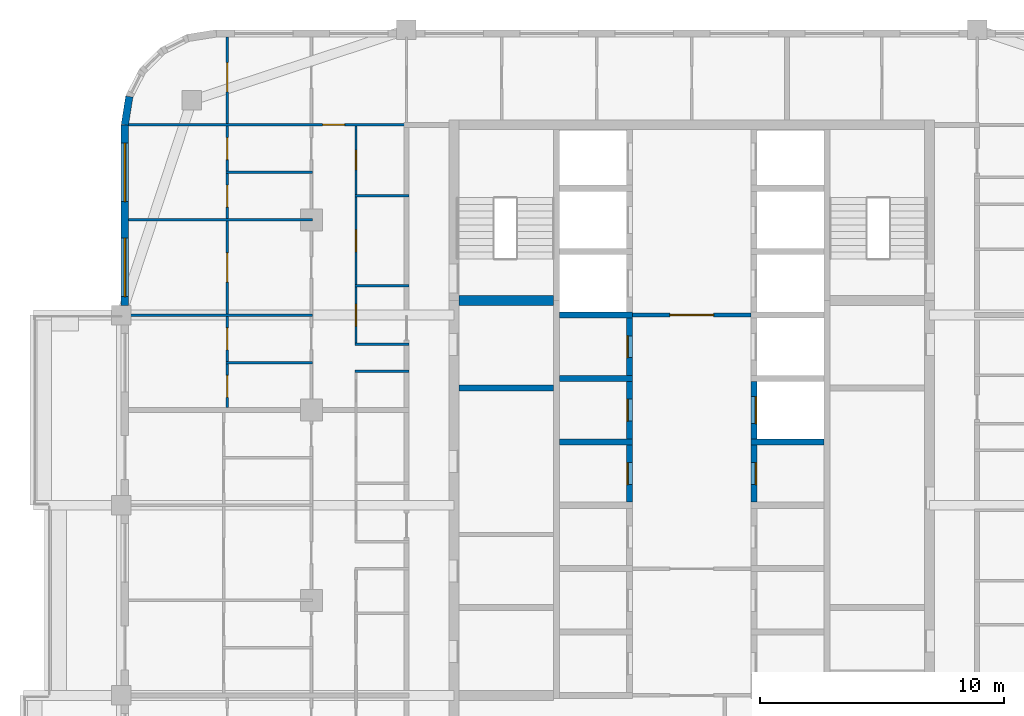
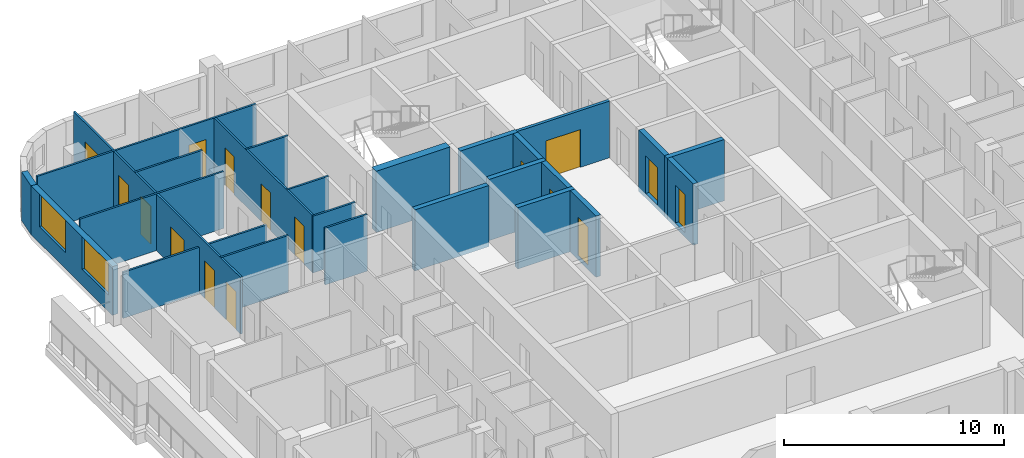
# One storey, part 9 of 16: 25 walls, 16 doors, 2 windows, 18 openings.
"""IFC4 building model written with IfcOpenShell, lengths in metres."""

from ifc_helpers import new_model, si_unit, direction, frame, frame_2d, origin, place, context, subcontext, project, spatial, rectangle, extrude, material, layer, layer_set, type_object, element, fill, save


model = new_model("IFC4")

# Units and contexts
model_context = context("Model", 3, precision=1e-05, world=origin(), true_north=direction((0.0, 1.0)))
body_context = subcontext(model_context, "Body", "Model", "MODEL_VIEW")
ifc_project = project(units=[si_unit("LENGTHUNIT", "METRE"), si_unit("AREAUNIT", "SQUARE_METRE"), si_unit("VOLUMEUNIT", "CUBIC_METRE"), si_unit("PLANEANGLEUNIT", "RADIAN"), si_unit("MASSUNIT", "GRAM", prefix="KILO")], contexts=[model_context])

# Site, building, storey
site_placement = place(None, origin())
site = spatial("IfcSite", under=ifc_project, at=site_placement, CompositionType="ELEMENT")
building_placement = place(site_placement, origin())
building = spatial("IfcBuilding", under=site, at=building_placement, Name="Ludao Terraces", CompositionType="ELEMENT")
storey_placement = place(building_placement, frame((0.0, 0.0, 227.89990234375)))
storey = spatial("IfcBuildingStorey", under=building, at=storey_placement, Name="L62", CompositionType="ELEMENT", Elevation=227.89990234375)

# Wall, openings, windows
ifc_material_1 = material(Name="Granite cladding", Category="masonry")
ifc_layer_1 = layer(ifc_material_1, 0.0400390625, Category="stone")
ifc_material_2 = material(Name="Mineral wool")
ifc_layer_2 = layer(ifc_material_2, 0.06005859375)
ifc_material_3 = material(Name="Concrete C40", Category="concrete")
ifc_layer_3 = layer(ifc_material_3, 0.199951171875, Category="concrete")
ifc_layer_set_1 = layer_set([ifc_layer_1, ifc_layer_2, ifc_layer_3], Name="ENV Stone-clad wall 300")
wall_type_1 = type_object("IfcWallType", Name="ENV Stone-clad wall 300", PredefinedType="SOLIDWALL", material=ifc_layer_set_1)
wall_1_placement = place(storey_placement, frame((61.75, 77.10009765625, 0.0), z_axis=(0.0, 0.0, 1.0), x_axis=(0.0, 1.0, 0.0)))
wall_1 = element("IfcWall", 1, at=wall_1_placement, inside=storey, type_object=wall_type_1, Name="EW-L62-W5", PredefinedType="SOLIDWALL", context=body_context, shape_type="SweptSolid", body=[
    extrude(rectangle(XDim=7.39990234375, YDim=0.300048828125, at=frame_2d((3.699951171875, 0.0))), origin(), (0.0, 0.0, 1.0), 2.7001953125),
])
opening_1_placement = place(wall_1_placement, frame((0.35009765625, 0.0, 0.89990234375)))
opening_1 = element("IfcOpeningElement", 2, at=opening_1_placement, cuts=wall_1, Name="Opening W1", PredefinedType="OPENING", context=body_context, shape_type="SweptSolid", body=[
    extrude(rectangle(XDim=2.39990234375, YDim=1.800048828125, at=frame_2d((1.199951171875, 0.89990234375))), frame((0.0, 0.16015625, 0.0), z_axis=(0.0, -1.0, 0.0), x_axis=(1.0, 0.0, 0.0)), (0.0, 0.0, 1.0), 0.320068359375),
])
opening_2_placement = place(wall_1_placement, frame((4.25, 0.0, 0.89990234375)))
opening_2 = element("IfcOpeningElement", 3, at=opening_2_placement, cuts=wall_1, Name="Opening W1", PredefinedType="OPENING", context=body_context, shape_type="SweptSolid", body=[
    extrude(rectangle(XDim=2.39990234375, YDim=1.800048828125, at=frame_2d((1.199951171875, 0.89990234375))), frame((0.0, 0.16015625, 0.0), z_axis=(0.0, -1.0, 0.0), x_axis=(1.0, 0.0, 0.0)), (0.0, 0.0, 1.0), 0.320068359375),
])
ifc_material_4 = material(Name="Clear glass in aluminium frame", Category="aluminium")
ifc_layer_4 = layer(ifc_material_4, 0.06005859375)
ifc_layer_set_2 = layer_set([ifc_layer_4], Name="ENV Window W1 2400x1800")
window_type = type_object("IfcWindowType", Name="ENV Window W1 2400x1800", PartitioningType="DOUBLE_PANEL_VERTICAL", PredefinedType="WINDOW", material=ifc_layer_set_2)
window_1_placement = place(opening_1_placement, origin())
window_1 = element("IfcWindow", 4, at=window_1_placement, inside=storey, type_object=window_type, Name="W-L62-W5-1", OverallHeight=1.800048828125, OverallWidth=2.39990234375, PartitioningType="DOUBLE_PANEL_VERTICAL", PredefinedType="WINDOW", context=body_context, shape_type="SweptSolid", body=[
    extrude(rectangle(XDim=2.39990234375, YDim=1.800048828125, at=frame_2d((1.199951171875, 0.89990234375))), frame((0.0, 0.030029296875, 0.0), z_axis=(0.0, -1.0, 0.0), x_axis=(1.0, 0.0, 0.0)), (0.0, 0.0, 1.0), 0.06005859375),
])
fill(opening_1, window_1)
window_2_placement = place(opening_2_placement, origin())
window_2 = element("IfcWindow", 5, at=window_2_placement, inside=storey, type_object=window_type, Name="W-L62-W5-2", OverallHeight=1.800048828125, OverallWidth=2.39990234375, PartitioningType="DOUBLE_PANEL_VERTICAL", PredefinedType="WINDOW", context=body_context, shape_type="SweptSolid", body=[
    extrude(rectangle(XDim=2.39990234375, YDim=1.800048828125, at=frame_2d((1.199951171875, 0.89990234375))), frame((0.0, 0.030029296875, 0.0), z_axis=(0.0, -1.0, 0.0), x_axis=(1.0, 0.0, 0.0)), (0.0, 0.0, 1.0), 0.06005859375),
])
fill(opening_2, window_2)

# Wall
wall_2_placement = place(storey_placement, frame((61.93359375, 85.65869140625, 0.0), z_axis=(0.0, 0.0, 1.0), x_axis=(-0.156496880861, -0.987678452879, 0.0)))
element("IfcWall", 6, at=wall_2_placement, inside=storey, type_object=wall_type_1, Name="EW-L62-NW5", PredefinedType="SOLIDWALL", context=body_context, shape_type="SweptSolid", body=[
    extrude(rectangle(XDim=1.173095703125, YDim=0.300048828125, at=frame_2d((0.58642578125, 0.0))), origin(), (0.0, 0.0, 1.0), 2.7001953125),
])

# Wall, opening, door
ifc_material_5 = material(Name="Fire-rated gypsum plasterboard", Category="gypsum")
ifc_layer_5 = layer(ifc_material_5, 0.012451171875, Category="gypsum")
ifc_layer_6 = layer(ifc_material_2, 0.10009765625, Name="insulation")
ifc_material_6 = material(Name="Steel Q235", Category="steel")
ifc_layer_7 = layer(ifc_material_6, 0.02490234375, Name="stud")
ifc_layer_8 = layer(ifc_material_5, 0.012451171875, Category="gypsum")
ifc_layer_set_3 = layer_set([ifc_layer_5, ifc_layer_6, ifc_layer_7, ifc_layer_8], Name="INT Core partition 150")
wall_type_2 = type_object("IfcWallType", Name="INT Core partition 150", PredefinedType="PARTITIONING", material=ifc_layer_set_3)
wall_3_placement = place(storey_placement, frame((82.5751953125, 76.699951171875, 0.0), z_axis=(0.0, 0.0, 1.0), x_axis=(1.0, 0.0, 0.0)))
wall_3 = element("IfcWall", 7, at=wall_3_placement, inside=storey, type_object=wall_type_2, Name="PW-L62-PW055", PredefinedType="PARTITIONING", context=body_context, shape_type="SweptSolid", body=[
    extrude(rectangle(XDim=4.849853515625, YDim=0.14990234375, at=frame_2d((2.4248046875, 0.0))), origin(), (0.0, 0.0, 1.0), 3.150146484375),
])
opening_3_placement = place(wall_3_placement, frame((1.52490234375, 0.0, 0.0)))
opening_3 = element("IfcOpeningElement", 8, at=opening_3_placement, cuts=wall_3, Name="Opening R22-105", PredefinedType="OPENING", context=body_context, shape_type="SweptSolid", body=[
    extrude(rectangle(XDim=1.800048828125, YDim=2.10009765625, at=frame_2d((0.89990234375, 1.050048828125))), frame((0.0, 0.0849609375, 0.0), z_axis=(0.0, -1.0, 0.0), x_axis=(1.0, 0.0, 0.0)), (0.0, 0.0, 1.0), 0.169921875),
])
door_type_1 = type_object("IfcDoorType", Name="INT Fire lobby door 1800", OperationType="DOUBLE_DOOR_SINGLE_SWING", PredefinedType="DOOR", material=ifc_material_6)
door_1_placement = place(opening_3_placement, origin())
door_1 = element("IfcDoor", 9, at=door_1_placement, inside=storey, type_object=door_type_1, Name="DOOR 105", OperationType="DOUBLE_DOOR_SINGLE_SWING", OverallHeight=2.10009765625, OverallWidth=1.800048828125, PredefinedType="DOOR", context=body_context, shape_type="SweptSolid", body=[
    extrude(rectangle(XDim=1.800048828125, YDim=2.10009765625, at=frame_2d((0.89990234375, 1.050048828125))), frame((0.0, 0.02490234375, 0.0), z_axis=(0.0, -1.0, 0.0), x_axis=(1.0, 0.0, 0.0)), (0.0, 0.0, 1.0), 0.050048828125),
])
fill(opening_3, door_1)

# Walls
ifc_material_7 = material(Name="Gypsum plasterboard", Category="gypsum")
ifc_layer_9 = layer(ifc_material_7, 0.012451171875, Category="gypsum")
ifc_layer_10 = layer(ifc_material_2, 0.06005859375, Name="insulation")
ifc_layer_11 = layer(ifc_material_6, 0.014892578125, Name="stud")
ifc_layer_12 = layer(ifc_material_7, 0.012451171875, Category="gypsum")
ifc_layer_set_4 = layer_set([ifc_layer_9, ifc_layer_10, ifc_layer_11, ifc_layer_12], Name="INT Partition 100")
wall_type_3 = type_object("IfcWallType", Name="INT Partition 100", PredefinedType="PARTITIONING", material=ifc_layer_set_4)
wall_4_placement = place(storey_placement, frame((71.18017578125, 74.39990234375, 0.0), z_axis=(0.0, 0.0, 1.0), x_axis=(1.0, 0.0, 0.0)))
element("IfcWall", 10, at=wall_4_placement, inside=storey, type_object=wall_type_3, Name="PW-L62-PW050", PredefinedType="PARTITIONING", context=body_context, shape_type="SweptSolid", body=[
    extrude(rectangle(XDim=2.219970703125, YDim=0.10009765625, at=frame_2d((1.10986328125, 0.0))), origin(), (0.0, 0.0, 1.0), 3.150146484375),
])
wall_5_placement = place(storey_placement, frame((65.900146484375, 74.75, 0.0), z_axis=(0.0, 0.0, 1.0), x_axis=(1.0, 0.0, 0.0)))
element("IfcWall", 11, at=wall_5_placement, inside=storey, type_object=wall_type_3, Name="PW-L62-PW051", PredefinedType="PARTITIONING", context=body_context, shape_type="SweptSolid", body=[
    extrude(rectangle(XDim=3.550048828125, YDim=0.10009765625, at=frame_2d((1.77490234375, 0.0))), origin(), (0.0, 0.0, 1.0), 3.150146484375),
])
wall_6_placement = place(storey_placement, frame((71.18017578125, 75.5, 0.0), z_axis=(0.0, 0.0, 1.0), x_axis=(1.0, 0.0, 0.0)))
element("IfcWall", 12, at=wall_6_placement, inside=storey, type_object=wall_type_3, Name="PW-L62-PW053", PredefinedType="PARTITIONING", context=body_context, shape_type="SweptSolid", body=[
    extrude(rectangle(XDim=2.219970703125, YDim=0.10009765625, at=frame_2d((1.10986328125, 0.0))), origin(), (0.0, 0.0, 1.0), 3.150146484375),
])
wall_7_placement = place(storey_placement, frame((61.900146484375, 76.699951171875, 0.0), z_axis=(0.0, 0.0, 1.0), x_axis=(1.0, 0.0, 0.0)))
element("IfcWall", 13, at=wall_7_placement, inside=storey, type_object=wall_type_3, Name="PW-L62-PW054", PredefinedType="PARTITIONING", context=body_context, shape_type="SweptSolid", body=[
    extrude(rectangle(XDim=7.550048828125, YDim=0.10009765625, at=frame_2d((3.77490234375, 0.0))), origin(), (0.0, 0.0, 1.0), 2.550048828125),
])
wall_8_placement = place(storey_placement, frame((71.18017578125, 77.89990234375, 0.0), z_axis=(0.0, 0.0, 1.0), x_axis=(1.0, 0.0, 0.0)))
element("IfcWall", 14, at=wall_8_placement, inside=storey, type_object=wall_type_3, Name="PW-L62-PW057", PredefinedType="PARTITIONING", context=body_context, shape_type="SweptSolid", body=[
    extrude(rectangle(XDim=2.219970703125, YDim=0.10009765625, at=frame_2d((1.10986328125, 0.0))), origin(), (0.0, 0.0, 1.0), 3.150146484375),
])
wall_9_placement = place(storey_placement, frame((61.900146484375, 80.60009765625, 0.0), z_axis=(0.0, 0.0, 1.0), x_axis=(1.0, 0.0, 0.0)))
element("IfcWall", 15, at=wall_9_placement, inside=storey, type_object=wall_type_3, Name="PW-L62-PW059", PredefinedType="PARTITIONING", context=body_context, shape_type="SweptSolid", body=[
    extrude(rectangle(XDim=7.550048828125, YDim=0.10009765625, at=frame_2d((3.77490234375, 0.0))), origin(), (0.0, 0.0, 1.0), 3.150146484375),
])
wall_10_placement = place(storey_placement, frame((71.18017578125, 81.60009765625, 0.0), z_axis=(0.0, 0.0, 1.0), x_axis=(1.0, 0.0, 0.0)))
element("IfcWall", 16, at=wall_10_placement, inside=storey, type_object=wall_type_3, Name="PW-L62-PW062", PredefinedType="PARTITIONING", context=body_context, shape_type="SweptSolid", body=[
    extrude(rectangle(XDim=2.219970703125, YDim=0.10009765625, at=frame_2d((1.10986328125, 0.0))), origin(), (0.0, 0.0, 1.0), 3.150146484375),
])
wall_11_placement = place(storey_placement, frame((65.900146484375, 82.550048828125, 0.0), z_axis=(0.0, 0.0, 1.0), x_axis=(1.0, 0.0, 0.0)))
element("IfcWall", 17, at=wall_11_placement, inside=storey, type_object=wall_type_3, Name="PW-L62-PW064", PredefinedType="PARTITIONING", context=body_context, shape_type="SweptSolid", body=[
    extrude(rectangle(XDim=3.550048828125, YDim=0.10009765625, at=frame_2d((1.77490234375, 0.0))), origin(), (0.0, 0.0, 1.0), 3.150146484375),
])

# Wall, opening, door
wall_12_placement = place(storey_placement, frame((61.900146484375, 84.5, 0.0), z_axis=(0.0, 0.0, 1.0), x_axis=(1.0, 0.0, 0.0)))
wall_12 = element("IfcWall", 18, at=wall_12_placement, inside=storey, type_object=wall_type_3, Name="PW-L62-PW065", PredefinedType="PARTITIONING", context=body_context, shape_type="SweptSolid", body=[
    extrude(rectangle(XDim=11.5, YDim=0.10009765625, at=frame_2d((5.75, 0.0))), origin(), (0.0, 0.0, 1.0), 3.150146484375),
])
opening_4_placement = place(wall_12_placement, frame((7.965087890625, 0.0, 0.0)))
opening_4 = element("IfcOpeningElement", 19, at=opening_4_placement, cuts=wall_12, Name="Opening R22-129", PredefinedType="OPENING", context=body_context, shape_type="SweptSolid", body=[
    extrude(rectangle(XDim=0.89990234375, YDim=2.10009765625, at=frame_2d((0.449951171875, 1.050048828125))), frame((0.0, 0.06005859375, 0.0), z_axis=(0.0, -1.0, 0.0), x_axis=(1.0, 0.0, 0.0)), (0.0, 0.0, 1.0), 0.1201171875),
])
ifc_material_8 = material(Name="Timber door leaf", Category="wood")
door_type_2 = type_object("IfcDoorType", Name="INT Room door 900", OperationType="SINGLE_SWING_LEFT", PredefinedType="DOOR", material=ifc_material_8)
door_2_placement = place(opening_4_placement, origin())
door_2 = element("IfcDoor", 20, at=door_2_placement, inside=storey, type_object=door_type_2, Name="DOOR 129", OperationType="SINGLE_SWING_LEFT", OverallHeight=2.10009765625, OverallWidth=0.89990234375, PredefinedType="DOOR", context=body_context, shape_type="SweptSolid", body=[
    extrude(rectangle(XDim=0.89990234375, YDim=2.10009765625, at=frame_2d((0.449951171875, 1.050048828125))), frame((0.0, 0.02490234375, 0.0), z_axis=(0.0, -1.0, 0.0), x_axis=(1.0, 0.0, 0.0)), (0.0, 0.0, 1.0), 0.050048828125),
])
fill(opening_4, door_2)

# Wall, openings, doors
wall_13_placement = place(storey_placement, frame((65.949951171875, 72.900146484375, 0.0), z_axis=(0.0, 0.0, 1.0), x_axis=(0.0, 1.0, 0.0)))
wall_13 = element("IfcWall", 21, at=wall_13_placement, inside=storey, type_object=wall_type_3, Name="PW-L62-PW071", PredefinedType="PARTITIONING", context=body_context, shape_type="SweptSolid", body=[
    extrude(rectangle(XDim=15.199951171875, YDim=0.10009765625, at=frame_2d((7.60009765625, 0.0))), origin(), (0.0, 0.0, 1.0), 3.150146484375),
])
opening_5_placement = place(wall_13_placement, frame((0.425048828125, 0.0, 0.0)))
opening_5 = element("IfcOpeningElement", 22, at=opening_5_placement, cuts=wall_13, Name="Opening R22-092", PredefinedType="OPENING", context=body_context, shape_type="SweptSolid", body=[
    extrude(rectangle(XDim=0.89990234375, YDim=2.10009765625, at=frame_2d((0.449951171875, 1.050048828125))), frame((0.0, 0.06005859375, 0.0), z_axis=(0.0, -1.0, 0.0), x_axis=(1.0, 0.0, 0.0)), (0.0, 0.0, 1.0), 0.1201171875),
])
opening_6_placement = place(wall_13_placement, frame((2.375, 0.0, 0.0)))
opening_6 = element("IfcOpeningElement", 23, at=opening_6_placement, cuts=wall_13, Name="Opening R22-099", PredefinedType="OPENING", context=body_context, shape_type="SweptSolid", body=[
    extrude(rectangle(XDim=0.89990234375, YDim=2.10009765625, at=frame_2d((0.449951171875, 1.050048828125))), frame((0.0, 0.06005859375, 0.0), z_axis=(0.0, -1.0, 0.0), x_axis=(1.0, 0.0, 0.0)), (0.0, 0.0, 1.0), 0.1201171875),
])
opening_7_placement = place(wall_13_placement, frame((5.14990234375, 0.0, 0.0)))
opening_7 = element("IfcOpeningElement", 24, at=opening_7_placement, cuts=wall_13, Name="Opening R22-111", PredefinedType="OPENING", context=body_context, shape_type="SweptSolid", body=[
    extrude(rectangle(XDim=1.199951171875, YDim=2.10009765625, at=frame_2d((0.60009765625, 1.050048828125))), frame((0.0, 0.06005859375, 0.0), z_axis=(0.0, -1.0, 0.0), x_axis=(1.0, 0.0, 0.0)), (0.0, 0.0, 1.0), 0.1201171875),
])
opening_8_placement = place(wall_13_placement, frame((8.22509765625, 0.0, 0.0)))
opening_8 = element("IfcOpeningElement", 25, at=opening_8_placement, cuts=wall_13, Name="Opening R22-119", PredefinedType="OPENING", context=body_context, shape_type="SweptSolid", body=[
    extrude(rectangle(XDim=0.89990234375, YDim=2.10009765625, at=frame_2d((0.449951171875, 1.050048828125))), frame((0.0, 0.06005859375, 0.0), z_axis=(0.0, -1.0, 0.0), x_axis=(1.0, 0.0, 0.0)), (0.0, 0.0, 1.0), 0.1201171875),
])
opening_9_placement = place(wall_13_placement, frame((10.175048828125, 0.0, 0.0)))
opening_9 = element("IfcOpeningElement", 26, at=opening_9_placement, cuts=wall_13, Name="Opening R22-127", PredefinedType="OPENING", context=body_context, shape_type="SweptSolid", body=[
    extrude(rectangle(XDim=0.89990234375, YDim=2.10009765625, at=frame_2d((0.449951171875, 1.050048828125))), frame((0.0, 0.06005859375, 0.0), z_axis=(0.0, -1.0, 0.0), x_axis=(1.0, 0.0, 0.0)), (0.0, 0.0, 1.0), 0.1201171875),
])
opening_10_placement = place(wall_13_placement, frame((12.949951171875, 0.0, 0.0)))
opening_10 = element("IfcOpeningElement", 27, at=opening_10_placement, cuts=wall_13, Name="Opening R22-131", PredefinedType="OPENING", context=body_context, shape_type="SweptSolid", body=[
    extrude(rectangle(XDim=1.199951171875, YDim=2.10009765625, at=frame_2d((0.60009765625, 1.050048828125))), frame((0.0, 0.06005859375, 0.0), z_axis=(0.0, -1.0, 0.0), x_axis=(1.0, 0.0, 0.0)), (0.0, 0.0, 1.0), 0.1201171875),
])
door_type_3 = type_object("IfcDoorType", Name="INT Bathroom door 900", OperationType="SINGLE_SWING_LEFT", PredefinedType="DOOR", material=ifc_material_8)
door_3_placement = place(opening_5_placement, origin())
door_3 = element("IfcDoor", 28, at=door_3_placement, inside=storey, type_object=door_type_3, Name="DOOR 092", OperationType="SINGLE_SWING_RIGHT", OverallHeight=2.10009765625, OverallWidth=0.89990234375, PredefinedType="DOOR", context=body_context, shape_type="SweptSolid", body=[
    extrude(rectangle(XDim=0.89990234375, YDim=2.10009765625, at=frame_2d((0.449951171875, 1.050048828125))), frame((0.0, 0.02490234375, 0.0), z_axis=(0.0, -1.0, 0.0), x_axis=(1.0, 0.0, 0.0)), (0.0, 0.0, 1.0), 0.050048828125),
])
fill(opening_5, door_3)
door_4_placement = place(opening_8_placement, origin())
door_4 = element("IfcDoor", 29, at=door_4_placement, inside=storey, type_object=door_type_3, Name="DOOR 119", OperationType="SINGLE_SWING_LEFT", OverallHeight=2.10009765625, OverallWidth=0.89990234375, PredefinedType="DOOR", context=body_context, shape_type="SweptSolid", body=[
    extrude(rectangle(XDim=0.89990234375, YDim=2.10009765625, at=frame_2d((0.449951171875, 1.050048828125))), frame((0.0, 0.02490234375, 0.0), z_axis=(0.0, -1.0, 0.0), x_axis=(1.0, 0.0, 0.0)), (0.0, 0.0, 1.0), 0.050048828125),
])
fill(opening_8, door_4)
door_type_4 = type_object("IfcDoorType", Name="INT Double door 1200", OperationType="DOUBLE_DOOR_SINGLE_SWING", PredefinedType="DOOR", material=ifc_material_8)
door_5_placement = place(opening_7_placement, origin())
door_5 = element("IfcDoor", 30, at=door_5_placement, inside=storey, type_object=door_type_4, Name="DOOR 111", OperationType="DOUBLE_DOOR_SINGLE_SWING", OverallHeight=2.10009765625, OverallWidth=1.199951171875, PredefinedType="DOOR", context=body_context, shape_type="SweptSolid", body=[
    extrude(rectangle(XDim=1.199951171875, YDim=2.10009765625, at=frame_2d((0.60009765625, 1.050048828125))), frame((0.0, 0.02490234375, 0.0), z_axis=(0.0, -1.0, 0.0), x_axis=(1.0, 0.0, 0.0)), (0.0, 0.0, 1.0), 0.050048828125),
])
fill(opening_7, door_5)
door_6_placement = place(opening_10_placement, origin())
door_6 = element("IfcDoor", 31, at=door_6_placement, inside=storey, type_object=door_type_4, Name="DOOR 131", OperationType="DOUBLE_DOOR_SINGLE_SWING", OverallHeight=2.10009765625, OverallWidth=1.199951171875, PredefinedType="DOOR", context=body_context, shape_type="SweptSolid", body=[
    extrude(rectangle(XDim=1.199951171875, YDim=2.10009765625, at=frame_2d((0.60009765625, 1.050048828125))), frame((0.0, 0.02490234375, 0.0), z_axis=(0.0, -1.0, 0.0), x_axis=(1.0, 0.0, 0.0)), (0.0, 0.0, 1.0), 0.050048828125),
])
fill(opening_10, door_6)
door_7_placement = place(opening_6_placement, origin())
door_7 = element("IfcDoor", 32, at=door_7_placement, inside=storey, type_object=door_type_2, Name="DOOR 099", OperationType="SINGLE_SWING_RIGHT", OverallHeight=2.10009765625, OverallWidth=0.89990234375, PredefinedType="DOOR", context=body_context, shape_type="SweptSolid", body=[
    extrude(rectangle(XDim=0.89990234375, YDim=2.10009765625, at=frame_2d((0.449951171875, 1.050048828125))), frame((0.0, 0.02490234375, 0.0), z_axis=(0.0, -1.0, 0.0), x_axis=(1.0, 0.0, 0.0)), (0.0, 0.0, 1.0), 0.050048828125),
])
fill(opening_6, door_7)
door_8_placement = place(opening_9_placement, origin())
door_8 = element("IfcDoor", 33, at=door_8_placement, inside=storey, type_object=door_type_2, Name="DOOR 127", OperationType="SINGLE_SWING_RIGHT", OverallHeight=2.10009765625, OverallWidth=0.89990234375, PredefinedType="DOOR", context=body_context, shape_type="SweptSolid", body=[
    extrude(rectangle(XDim=0.89990234375, YDim=2.10009765625, at=frame_2d((0.449951171875, 1.050048828125))), frame((0.0, 0.02490234375, 0.0), z_axis=(0.0, -1.0, 0.0), x_axis=(1.0, 0.0, 0.0)), (0.0, 0.0, 1.0), 0.050048828125),
])
fill(opening_9, door_8)

wall_14_placement = place(storey_placement, frame((71.22998046875, 75.550048828125, 0.0), z_axis=(0.0, 0.0, 1.0), x_axis=(0.0, 1.0, 0.0)))
wall_14 = element("IfcWall", 34, at=wall_14_placement, inside=storey, type_object=wall_type_3, Name="PW-L62-PW076", PredefinedType="PARTITIONING", context=body_context, shape_type="SweptSolid", body=[
    extrude(rectangle(XDim=8.900146484375, YDim=0.10009765625, at=frame_2d((4.4501953125, 0.0))), origin(), (0.0, 0.0, 1.0), 3.150146484375),
])
opening_11_placement = place(wall_14_placement, frame((0.699951171875, 0.0, 0.0)))
opening_11 = element("IfcOpeningElement", 35, at=opening_11_placement, cuts=wall_14, Name="Opening R22-104", PredefinedType="OPENING", context=body_context, shape_type="SweptSolid", body=[
    extrude(rectangle(XDim=0.89990234375, YDim=2.10009765625, at=frame_2d((0.449951171875, 1.050048828125))), frame((0.0, 0.06005859375, 0.0), z_axis=(0.0, -1.0, 0.0), x_axis=(1.0, 0.0, 0.0)), (0.0, 0.0, 1.0), 0.1201171875),
])
opening_12_placement = place(wall_14_placement, frame((3.75, 0.0, 0.0)))
opening_12 = element("IfcOpeningElement", 36, at=opening_12_placement, cuts=wall_14, Name="Opening R22-115", PredefinedType="OPENING", context=body_context, shape_type="SweptSolid", body=[
    extrude(rectangle(XDim=0.89990234375, YDim=2.10009765625, at=frame_2d((0.449951171875, 1.050048828125))), frame((0.0, 0.06005859375, 0.0), z_axis=(0.0, -1.0, 0.0), x_axis=(1.0, 0.0, 0.0)), (0.0, 0.0, 1.0), 0.1201171875),
])
opening_13_placement = place(wall_14_placement, frame((7.10009765625, 0.0, 0.0)))
opening_13 = element("IfcOpeningElement", 37, at=opening_13_placement, cuts=wall_14, Name="Opening R22-123", PredefinedType="OPENING", context=body_context, shape_type="SweptSolid", body=[
    extrude(rectangle(XDim=0.800048828125, YDim=2.10009765625, at=frame_2d((0.39990234375, 1.050048828125))), frame((0.0, 0.06005859375, 0.0), z_axis=(0.0, -1.0, 0.0), x_axis=(1.0, 0.0, 0.0)), (0.0, 0.0, 1.0), 0.1201171875),
])
door_9_placement = place(opening_11_placement, origin())
door_9 = element("IfcDoor", 38, at=door_9_placement, inside=storey, type_object=door_type_3, Name="DOOR 104", OperationType="SINGLE_SWING_RIGHT", OverallHeight=2.10009765625, OverallWidth=0.89990234375, PredefinedType="DOOR", context=body_context, shape_type="SweptSolid", body=[
    extrude(rectangle(XDim=0.89990234375, YDim=2.10009765625, at=frame_2d((0.449951171875, 1.050048828125))), frame((0.0, 0.02490234375, 0.0), z_axis=(0.0, -1.0, 0.0), x_axis=(1.0, 0.0, 0.0)), (0.0, 0.0, 1.0), 0.050048828125),
])
fill(opening_11, door_9)
door_10_placement = place(opening_12_placement, origin())
door_10 = element("IfcDoor", 39, at=door_10_placement, inside=storey, type_object=door_type_2, Name="DOOR 115", OperationType="SINGLE_SWING_RIGHT", OverallHeight=2.10009765625, OverallWidth=0.89990234375, PredefinedType="DOOR", context=body_context, shape_type="SweptSolid", body=[
    extrude(rectangle(XDim=0.89990234375, YDim=2.10009765625, at=frame_2d((0.449951171875, 1.050048828125))), frame((0.0, 0.02490234375, 0.0), z_axis=(0.0, -1.0, 0.0), x_axis=(1.0, 0.0, 0.0)), (0.0, 0.0, 1.0), 0.050048828125),
])
fill(opening_12, door_10)
door_type_5 = type_object("IfcDoorType", Name="INT Store door 800", OperationType="SINGLE_SWING_LEFT", PredefinedType="DOOR", material=ifc_material_8)
door_11_placement = place(opening_13_placement, origin())
door_11 = element("IfcDoor", 40, at=door_11_placement, inside=storey, type_object=door_type_5, Name="DOOR 123", OperationType="SINGLE_SWING_RIGHT", OverallHeight=2.10009765625, OverallWidth=0.800048828125, PredefinedType="DOOR", context=body_context, shape_type="SweptSolid", body=[
    extrude(rectangle(XDim=0.800048828125, YDim=2.10009765625, at=frame_2d((0.39990234375, 1.050048828125))), frame((0.0, 0.02490234375, 0.0), z_axis=(0.0, -1.0, 0.0), x_axis=(1.0, 0.0, 0.0)), (0.0, 0.0, 1.0), 0.050048828125),
])
fill(opening_13, door_11)

# Wall, opening, door
ifc_material_9 = material(Name="Concrete C50", Category="concrete")
ifc_layer_13 = layer(ifc_material_9, 0.25)
ifc_layer_set_5 = layer_set([ifc_layer_13], Name="Shaft wall 250 C50")
wall_type_4 = type_object("IfcWallType", Name="Shaft wall 250 C50", PredefinedType="SOLIDWALL", material=ifc_layer_set_5)
wall_15_placement = place(storey_placement, frame((82.449951171875, 69.02490234375, -0.25), z_axis=(0.0, 0.0, 1.0), x_axis=(0.0, 1.0, 0.0)))
wall_15 = element("IfcWall", 41, at=wall_15_placement, inside=storey, type_object=wall_type_4, Name="Core wall L62 front-W4", PredefinedType="SOLIDWALL", context=body_context, shape_type="SweptSolid", body=[
    extrude(rectangle(XDim=2.35009765625, YDim=0.25, at=frame_2d((1.175048828125, 0.0))), origin(), (0.0, 0.0, 1.0), 3.400146484375),
])
opening_14_placement = place(wall_15_placement, frame((0.72509765625, 0.0, 0.25)))
opening_14 = element("IfcOpeningElement", 42, at=opening_14_placement, cuts=wall_15, Name="Opening R22-079", PredefinedType="OPENING", context=body_context, shape_type="SweptSolid", body=[
    extrude(rectangle(XDim=0.89990234375, YDim=2.10009765625, at=frame_2d((0.449951171875, 1.050048828125))), frame((0.0, 0.135009765625, 0.0), z_axis=(0.0, -1.0, 0.0), x_axis=(1.0, 0.0, 0.0)), (0.0, 0.0, 1.0), 0.27001953125),
])
door_12_placement = place(opening_14_placement, origin())
door_12 = element("IfcDoor", 43, at=door_12_placement, inside=storey, type_object=door_type_2, Name="DOOR 079", OperationType="SINGLE_SWING_RIGHT", OverallHeight=2.10009765625, OverallWidth=0.89990234375, PredefinedType="DOOR", context=body_context, shape_type="SweptSolid", body=[
    extrude(rectangle(XDim=0.89990234375, YDim=2.10009765625, at=frame_2d((0.449951171875, 1.050048828125))), frame((0.0, 0.10986328125, 0.0), z_axis=(0.0, -1.0, 0.0), x_axis=(1.0, 0.0, 0.0)), (0.0, 0.0, 1.0), 0.050048828125),
])
fill(opening_14, door_12)

# Wall
wall_16_placement = place(storey_placement, frame((79.574951171875, 71.5, -0.25), z_axis=(0.0, 0.0, 1.0), x_axis=(1.0, 0.0, 0.0)))
element("IfcWall", 44, at=wall_16_placement, inside=storey, type_object=wall_type_4, Name="Core wall L62 div-W5", PredefinedType="SOLIDWALL", context=body_context, shape_type="SweptSolid", body=[
    extrude(rectangle(XDim=3.0, YDim=0.25, at=frame_2d((1.5, 0.0))), origin(), (0.0, 0.0, 1.0), 3.400146484375),
])

# Wall, opening, door
wall_17_placement = place(storey_placement, frame((82.449951171875, 71.625, -0.25), z_axis=(0.0, 0.0, 1.0), x_axis=(0.0, 1.0, 0.0)))
wall_17 = element("IfcWall", 45, at=wall_17_placement, inside=storey, type_object=wall_type_4, Name="Core wall L62 front-W5", PredefinedType="SOLIDWALL", context=body_context, shape_type="SweptSolid", body=[
    extrude(rectangle(XDim=2.35009765625, YDim=0.25, at=frame_2d((1.175048828125, 0.0))), origin(), (0.0, 0.0, 1.0), 3.400146484375),
])
opening_15_placement = place(wall_17_placement, frame((0.72509765625, 0.0, 0.25)))
opening_15 = element("IfcOpeningElement", 46, at=opening_15_placement, cuts=wall_17, Name="Opening R22-087", PredefinedType="OPENING", context=body_context, shape_type="SweptSolid", body=[
    extrude(rectangle(XDim=0.89990234375, YDim=2.10009765625, at=frame_2d((0.449951171875, 1.050048828125))), frame((0.0, 0.135009765625, 0.0), z_axis=(0.0, -1.0, 0.0), x_axis=(1.0, 0.0, 0.0)), (0.0, 0.0, 1.0), 0.27001953125),
])
door_13_placement = place(opening_15_placement, origin())
door_13 = element("IfcDoor", 47, at=door_13_placement, inside=storey, type_object=door_type_2, Name="DOOR 087", OperationType="SINGLE_SWING_LEFT", OverallHeight=2.10009765625, OverallWidth=0.89990234375, PredefinedType="DOOR", context=body_context, shape_type="SweptSolid", body=[
    extrude(rectangle(XDim=0.89990234375, YDim=2.10009765625, at=frame_2d((0.449951171875, 1.050048828125))), frame((0.0, 0.10986328125, 0.0), z_axis=(0.0, -1.0, 0.0), x_axis=(1.0, 0.0, 0.0)), (0.0, 0.0, 1.0), 0.050048828125),
])
fill(opening_15, door_13)

# Wall
wall_18_placement = place(storey_placement, frame((79.574951171875, 74.10009765625, -0.25), z_axis=(0.0, 0.0, 1.0), x_axis=(1.0, 0.0, 0.0)))
element("IfcWall", 48, at=wall_18_placement, inside=storey, type_object=wall_type_4, Name="Core wall L62 div-W6", PredefinedType="SOLIDWALL", context=body_context, shape_type="SweptSolid", body=[
    extrude(rectangle(XDim=3.0, YDim=0.25, at=frame_2d((1.5, 0.0))), origin(), (0.0, 0.0, 1.0), 3.400146484375),
])

# Wall, opening, door
wall_19_placement = place(storey_placement, frame((82.449951171875, 74.22509765625, -0.25), z_axis=(0.0, 0.0, 1.0), x_axis=(0.0, 1.0, 0.0)))
wall_19 = element("IfcWall", 49, at=wall_19_placement, inside=storey, type_object=wall_type_4, Name="Core wall L62 front-W6", PredefinedType="SOLIDWALL", context=body_context, shape_type="SweptSolid", body=[
    extrude(rectangle(XDim=2.349853515625, YDim=0.25, at=frame_2d((1.1748046875, 0.0))), origin(), (0.0, 0.0, 1.0), 3.400146484375),
])
opening_16_placement = place(wall_19_placement, frame((0.72509765625, 0.0, 0.25)))
opening_16 = element("IfcOpeningElement", 50, at=opening_16_placement, cuts=wall_19, Name="Opening R22-094", PredefinedType="OPENING", context=body_context, shape_type="SweptSolid", body=[
    extrude(rectangle(XDim=0.89990234375, YDim=2.10009765625, at=frame_2d((0.449951171875, 1.050048828125))), frame((0.0, 0.135009765625, 0.0), z_axis=(0.0, -1.0, 0.0), x_axis=(1.0, 0.0, 0.0)), (0.0, 0.0, 1.0), 0.27001953125),
])
door_14_placement = place(opening_16_placement, origin())
door_14 = element("IfcDoor", 51, at=door_14_placement, inside=storey, type_object=door_type_2, Name="DOOR 094", OperationType="SINGLE_SWING_LEFT", OverallHeight=2.10009765625, OverallWidth=0.89990234375, PredefinedType="DOOR", context=body_context, shape_type="SweptSolid", body=[
    extrude(rectangle(XDim=0.89990234375, YDim=2.10009765625, at=frame_2d((0.449951171875, 1.050048828125))), frame((0.0, 0.10986328125, 0.0), z_axis=(0.0, -1.0, 0.0), x_axis=(1.0, 0.0, 0.0)), (0.0, 0.0, 1.0), 0.050048828125),
])
fill(opening_16, door_14)

# Wall
wall_20_placement = place(storey_placement, frame((79.574951171875, 76.699951171875, -0.25), z_axis=(0.0, 0.0, 1.0), x_axis=(1.0, 0.0, 0.0)))
element("IfcWall", 52, at=wall_20_placement, inside=storey, type_object=wall_type_4, Name="Core wall L62 div-W7", PredefinedType="SOLIDWALL", context=body_context, shape_type="SweptSolid", body=[
    extrude(rectangle(XDim=3.0, YDim=0.25, at=frame_2d((1.5, 0.0))), origin(), (0.0, 0.0, 1.0), 3.400146484375),
])

# Wall, opening, door
wall_21_placement = place(storey_placement, frame((87.550048828125, 69.02490234375, -0.25), z_axis=(0.0, 0.0, 1.0), x_axis=(0.0, 1.0, 0.0)))
wall_21 = element("IfcWall", 53, at=wall_21_placement, inside=storey, type_object=wall_type_4, Name="Core wall L62 front-E4", PredefinedType="SOLIDWALL", context=body_context, shape_type="SweptSolid", body=[
    extrude(rectangle(XDim=2.35009765625, YDim=0.25, at=frame_2d((1.175048828125, 0.0))), origin(), (0.0, 0.0, 1.0), 3.400146484375),
])
opening_17_placement = place(wall_21_placement, frame((0.72509765625, 0.0, 0.25)))
opening_17 = element("IfcOpeningElement", 54, at=opening_17_placement, cuts=wall_21, Name="Opening R22-080", PredefinedType="OPENING", context=body_context, shape_type="SweptSolid", body=[
    extrude(rectangle(XDim=0.89990234375, YDim=2.10009765625, at=frame_2d((0.449951171875, 1.050048828125))), frame((0.0, 0.135009765625, 0.0), z_axis=(0.0, -1.0, 0.0), x_axis=(1.0, 0.0, 0.0)), (0.0, 0.0, 1.0), 0.27001953125),
])
door_15_placement = place(opening_17_placement, origin())
door_15 = element("IfcDoor", 55, at=door_15_placement, inside=storey, type_object=door_type_2, Name="DOOR 080", OperationType="SINGLE_SWING_LEFT", OverallHeight=2.10009765625, OverallWidth=0.89990234375, PredefinedType="DOOR", context=body_context, shape_type="SweptSolid", body=[
    extrude(rectangle(XDim=0.89990234375, YDim=2.10009765625, at=frame_2d((0.449951171875, 1.050048828125))), frame((0.0, -0.06005859375, 0.0), z_axis=(0.0, -1.0, 0.0), x_axis=(1.0, 0.0, 0.0)), (0.0, 0.0, 1.0), 0.050048828125),
])
fill(opening_17, door_15)

# Wall
wall_22_placement = place(storey_placement, frame((87.425048828125, 71.5, -0.25), z_axis=(0.0, 0.0, 1.0), x_axis=(1.0, 0.0, 0.0)))
element("IfcWall", 56, at=wall_22_placement, inside=storey, type_object=wall_type_4, Name="Core wall L62 div-E5", PredefinedType="SOLIDWALL", context=body_context, shape_type="SweptSolid", body=[
    extrude(rectangle(XDim=3.0, YDim=0.25, at=frame_2d((1.5, 0.0))), origin(), (0.0, 0.0, 1.0), 3.400146484375),
])

# Wall, opening, door
wall_23_placement = place(storey_placement, frame((87.550048828125, 71.625, -0.25), z_axis=(0.0, 0.0, 1.0), x_axis=(0.0, 1.0, 0.0)))
wall_23 = element("IfcWall", 57, at=wall_23_placement, inside=storey, type_object=wall_type_4, Name="Core wall L62 front-E5", PredefinedType="SOLIDWALL", context=body_context, shape_type="SweptSolid", body=[
    extrude(rectangle(XDim=2.35009765625, YDim=0.25, at=frame_2d((1.175048828125, 0.0))), origin(), (0.0, 0.0, 1.0), 3.400146484375),
])
opening_18_placement = place(wall_23_placement, frame((0.625, 0.0, 0.25)))
opening_18 = element("IfcOpeningElement", 58, at=opening_18_placement, cuts=wall_23, Name="Opening LD-LB1", PredefinedType="OPENING", context=body_context, shape_type="SweptSolid", body=[
    extrude(rectangle(XDim=1.10009765625, YDim=2.10009765625, at=frame_2d((0.550048828125, 1.050048828125))), frame((0.0, 0.135009765625, 0.0), z_axis=(0.0, -1.0, 0.0), x_axis=(1.0, 0.0, 0.0)), (0.0, 0.0, 1.0), 0.27001953125),
])
ifc_material_10 = material(Name="Stainless steel 304", Category="steel")
door_type_6 = type_object("IfcDoorType", Name="INT Lift landing door 1100", OperationType="SLIDING_TO_LEFT", PredefinedType="DOOR", material=ifc_material_10)
door_16_placement = place(opening_18_placement, origin())
door_16 = element("IfcDoor", 59, at=door_16_placement, inside=storey, type_object=door_type_6, Name="LANDING DOOR LB1 L62", OperationType="SLIDING_TO_LEFT", OverallHeight=2.10009765625, OverallWidth=1.10009765625, PredefinedType="DOOR", context=body_context, shape_type="SweptSolid", body=[
    extrude(rectangle(XDim=1.10009765625, YDim=2.10009765625, at=frame_2d((0.550048828125, 1.050048828125))), frame((0.0, -0.06005859375, 0.0), z_axis=(0.0, -1.0, 0.0), x_axis=(1.0, 0.0, 0.0)), (0.0, 0.0, 1.0), 0.050048828125),
])
fill(opening_18, door_16)

# Walls
wall_24_placement = place(storey_placement, frame((75.449951171875, 73.699951171875, -0.25), z_axis=(0.0, 0.0, 1.0), x_axis=(1.0, 0.0, 0.0)))
element("IfcWall", 60, at=wall_24_placement, inside=storey, type_object=wall_type_4, Name="Core wall L62 riser-b-W", PredefinedType="SOLIDWALL", context=body_context, shape_type="SweptSolid", body=[
    extrude(rectangle(XDim=3.875, YDim=0.25, at=frame_2d((1.9375, 0.0))), origin(), (0.0, 0.0, 1.0), 3.400146484375),
])
ifc_layer_14 = layer(ifc_material_9, 0.39990234375)
ifc_layer_set_6 = layer_set([ifc_layer_14], Name="Shaft wall 400 C50")
wall_type_5 = type_object("IfcWallType", Name="Shaft wall 400 C50", PredefinedType="SOLIDWALL", material=ifc_layer_set_6)
wall_25_placement = place(storey_placement, frame((75.449951171875, 77.300048828125, -0.25), z_axis=(0.0, 0.0, 1.0), x_axis=(1.0, 0.0, 0.0)))
element("IfcWall", 61, at=wall_25_placement, inside=storey, type_object=wall_type_5, Name="Core wall L62 stair-W", PredefinedType="SOLIDWALL", context=body_context, shape_type="SweptSolid", body=[
    extrude(rectangle(XDim=3.875, YDim=0.39990234375, at=frame_2d((1.9375, 0.0))), origin(), (0.0, 0.0, 1.0), 3.400146484375),
])

save(model, "model.ifc")
